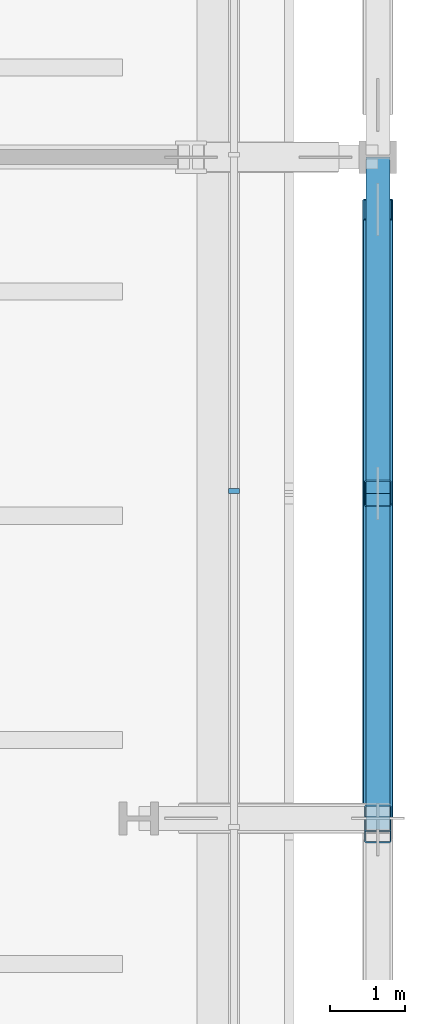
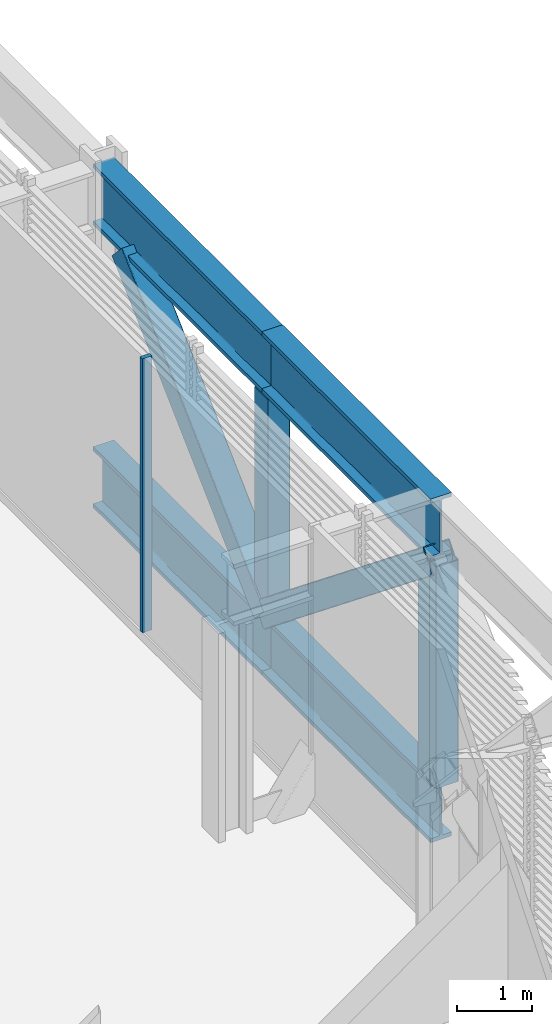
# One storey, part 10 of 29: 6 members, 4 beams, 1 element without a shape of its own.
"""IFC4 building model written with IfcOpenShell, lengths in metres."""

import ifcopenshell
import ifcopenshell.guid

model = None  # the IFC model being written
_history = None  # IfcOwnerHistory: only IFC2X3 demands one
_inside = {}  # id of a spatial element -> (the spatial element, [elements in it])
_under = {}  # id of a project, library or spatial element -> (it, [spatial elements below it])
_declared = {}  # id of a project -> (the project, [libraries it declares])
_typed = {}  # id of a type object -> (the type object, [elements of that type])
_made_of = {}  # id of a material, layer set ... -> (it, [elements and type objects made of it])


def new_model(schema):
    """Start an empty IFC model of exactly this schema.

    Asked for "IFC4X3", IfcOpenShell would pick the latest addendum, in which some entities
    have other attributes; the version numbers below select the first issue.
    IFC2X3 requires an IfcOwnerHistory on every rooted entity: one is made here for all.
    """
    global model, _history
    if schema == "IFC4X3":
        model = ifcopenshell.file(schema_version=(4, 3, 0, 0))
    else:
        model = ifcopenshell.file(schema=schema)
    _inside.clear()
    _under.clear()
    _declared.clear()
    _typed.clear()
    _made_of.clear()
    _history = None
    if model.schema == "IFC2X3":
        org = make("IfcOrganization", Name="unknown")
        user = make(
            "IfcPersonAndOrganization",
            ThePerson=make("IfcPerson", FamilyName="unknown"),
            TheOrganization=org,
        )
        app = make(
            "IfcApplication",
            ApplicationDeveloper=org,
            Version="unknown",
            ApplicationFullName="unknown",
            ApplicationIdentifier="unknown",
        )
        _history = make(
            "IfcOwnerHistory",
            OwningUser=user,
            OwningApplication=app,
            ChangeAction="ADDED",
            CreationDate=0,
        )
    return model


def make(cls, **values):
    """One entity of the class cls with the attributes given. An attribute that is None is left unset."""
    return model.create_entity(
        cls, **{name: value for name, value in values.items() if value is not None}
    )


def rooted(cls, **values):
    """An entity with a GlobalId (a new one), such as an element, a storey or a relation."""
    return make(cls, GlobalId=ifcopenshell.guid.new(), OwnerHistory=_history, **values)


def si_unit(unit_type, name, prefix=None):
    """IfcSIUnit, for example si_unit("LENGTHUNIT", "METRE", prefix="MILLI")."""
    return make("IfcSIUnit", UnitType=unit_type, Prefix=prefix, Name=name)


def assignment(units):
    """IfcUnitAssignment: the units of a project."""
    return None if units is None else make("IfcUnitAssignment", Units=units)


def point(xyz):
    """IfcCartesianPoint."""
    return None if xyz is None else make("IfcCartesianPoint", Coordinates=xyz)


def direction(xyz):
    """IfcDirection."""
    return None if xyz is None else make("IfcDirection", DirectionRatios=xyz)


def frame(location, z_axis=None, x_axis=None):
    """IfcAxis2Placement3D, a coordinate frame: its origin and axes. An axis left out is left unset."""
    return make(
        "IfcAxis2Placement3D",
        Location=point(location),
        Axis=direction(z_axis),
        RefDirection=direction(x_axis),
    )


def frame_2d(location, x_axis=None):
    """IfcAxis2Placement2D, a coordinate frame in the plane: its origin and x axis."""
    return make(
        "IfcAxis2Placement2D", Location=point(location), RefDirection=direction(x_axis)
    )


def origin():
    """The frame at (0, 0, 0) with its axes left unset."""
    return frame((0.0, 0.0, 0.0))


def origin_2d():
    """The frame at (0, 0) in the plane with its x axis left unset."""
    return frame_2d((0.0, 0.0))


def place(relative_to, where):
    """IfcLocalPlacement: puts the frame where relative to a parent placement (None: the world)."""
    return make(
        "IfcLocalPlacement", PlacementRelTo=relative_to, RelativePlacement=where
    )


def context(
    kind, dimensions, precision=None, world=None, true_north=None, identifier=None
):
    """IfcGeometricRepresentationContext, for example the 3D "Model" context."""
    return make(
        "IfcGeometricRepresentationContext",
        ContextIdentifier=identifier,
        ContextType=kind,
        CoordinateSpaceDimension=dimensions,
        Precision=precision,
        WorldCoordinateSystem=world,
        TrueNorth=true_north,
    )


def subcontext(parent, identifier, kind, view, scale=None):
    """IfcGeometricRepresentationSubContext, for example "Body" below "Model"."""
    return make(
        "IfcGeometricRepresentationSubContext",
        ContextIdentifier=identifier,
        ContextType=kind,
        ParentContext=parent,
        TargetScale=scale,
        TargetView=view,
    )


def project(units=None, contexts=None):
    """IfcProject with its units and contexts."""
    return rooted(
        "IfcProject",
        Name="project",
        RepresentationContexts=contexts,
        UnitsInContext=assignment(units),
    )


def spatial(cls, under=None, at=None, **own):
    """A site, building, storey or space (cls), placed at a placement, below another one or the project."""
    s = rooted(cls, ObjectPlacement=at, **own)
    if under is not None:
        _under.setdefault(under.id(), (under, []))[1].append(s)
    return s


def profile(cls, at=None, kind="AREA", **sizes):
    """A parametric profile (cls). Its sizes go by their IFC names, for example OverallWidth=200.0."""
    return make(cls, ProfileType=kind, Position=at, **sizes)


def rectangle(**sizes):
    """IfcRectangleProfileDef."""
    return profile("IfcRectangleProfileDef", **sizes)


def hollow_rectangle(**sizes):
    """IfcRectangleHollowProfileDef."""
    return profile("IfcRectangleHollowProfileDef", **sizes)


def i_section(**sizes):
    """IfcIShapeProfileDef."""
    return profile("IfcIShapeProfileDef", **sizes)


def extrude(swept, where, along, depth):
    """IfcExtrudedAreaSolid: the profile swept, set in the frame where, extruded along a direction by depth."""
    return make(
        "IfcExtrudedAreaSolid",
        SweptArea=swept,
        Position=where,
        ExtrudedDirection=direction(along),
        Depth=depth,
    )


def shape(context_of_items, identifier, shape_type, items):
    """IfcShapeRepresentation: the items that make up one representation, for example the "Body"."""
    return make(
        "IfcShapeRepresentation",
        ContextOfItems=context_of_items,
        RepresentationIdentifier=identifier,
        RepresentationType=shape_type,
        Items=items,
    )


def material(Name=None, Category=None):
    """IfcMaterial."""
    return make("IfcMaterial", Name=Name, Category=Category)


def layer(
    of_material, thickness, ventilated=None, Name=None, Category=None, Priority=None
):
    """IfcMaterialLayer: one layer of a wall or slab, of a material (None: an air gap)."""
    return make(
        "IfcMaterialLayer",
        Material=of_material,
        LayerThickness=thickness,
        IsVentilated=ventilated,
        Name=Name,
        Category=Category,
        Priority=Priority,
    )


def layer_set(layers, Name=None):
    """IfcMaterialLayerSet."""
    return make("IfcMaterialLayerSet", MaterialLayers=layers, LayerSetName=Name)


def material_profile(
    of_material, cross_section, Name=None, Category=None, Priority=None
):
    """IfcMaterialProfile: a cross section and its material."""
    return make(
        "IfcMaterialProfile",
        Name=Name,
        Material=of_material,
        Profile=cross_section,
        Priority=Priority,
        Category=Category,
    )


def profile_set(profiles, Name=None, composite=None):
    """IfcMaterialProfileSet."""
    return make(
        "IfcMaterialProfileSet",
        Name=Name,
        MaterialProfiles=profiles,
        CompositeProfile=composite,
    )


def made_of(thing, what):
    """Note that an element or type object is made of a material, layer set ...; save() writes the relation."""
    if what is not None:
        _made_of.setdefault(what.id(), (what, []))[1].append(thing)
    return thing


def type_object(cls, material=None, **own):
    """A type object (cls), such as IfcWallType, which elements share."""
    return made_of(rooted(cls, **own), material)


def element(
    cls,
    number,
    at=None,
    inside=None,
    cuts=None,
    type_object=None,
    material=None,
    context=None,
    identifier="Body",
    shape_type=None,
    held_by="IfcProductDefinitionShape",
    body=None,
    shapes=None,
    **own,
):
    """One element of the class cls, such as IfcWall. Its Tag is "e" and its number.

    at: its placement. inside: the storey or other place that contains it. cuts: it is an
    opening in that element (IfcRelVoidsElement). A single representation is given by context,
    identifier, shape_type and body (its items); several are given by shapes. held_by: the class
    of the entity that holds the representations. save() writes the other relations.
    """
    e = rooted(cls, Tag="e%d" % number, ObjectPlacement=at, **own)
    if body is not None:
        shapes = [shape(context, identifier, shape_type, body)]
    if shapes is not None:
        e.Representation = make(held_by, Representations=shapes)
    if inside is not None:
        _inside.setdefault(inside.id(), (inside, []))[1].append(e)
    if cuts is not None:
        rooted(
            "IfcRelVoidsElement", RelatingBuildingElement=cuts, RelatedOpeningElement=e
        )
    if type_object is not None:
        _typed.setdefault(type_object.id(), (type_object, []))[1].append(e)
    return made_of(e, material)


def aggregate(whole, parts):
    """IfcRelAggregates: a whole, such as a stair, and the parts it consists of."""
    return rooted("IfcRelAggregates", RelatingObject=whole, RelatedObjects=parts)


def save(model, path):
    """Write the relations noted so far, then the file.

    IfcRelAggregates (storeys below a building ...), IfcRelContainedInSpatialStructure (elements
    in a storey), IfcRelDefinesByType, IfcRelAssociatesMaterial and IfcRelDeclares: one each for
    every whole, place, type object, material and project.
    """
    for whole, parts in _under.values():
        aggregate(whole, parts)
    for where, things in _inside.values():
        rooted(
            "IfcRelContainedInSpatialStructure",
            RelatedElements=things,
            RelatingStructure=where,
        )
    for kind, things in _typed.values():
        rooted("IfcRelDefinesByType", RelatedObjects=things, RelatingType=kind)
    for what, things in _made_of.values():
        rooted("IfcRelAssociatesMaterial", RelatedObjects=things, RelatingMaterial=what)
    for by, libraries in _declared.values():
        rooted("IfcRelDeclares", RelatingContext=by, RelatedDefinitions=libraries)
    model.write(path)


model = new_model("IFC4")

# Units and contexts
model_context = context("Model", 3, precision=1e-05, world=origin(), true_north=direction((0.0, 1.0)))
body_context = subcontext(model_context, "Body", "Model", "MODEL_VIEW")
ifc_project = project(units=[si_unit("LENGTHUNIT", "METRE"), si_unit("AREAUNIT", "SQUARE_METRE"), si_unit("VOLUMEUNIT", "CUBIC_METRE"), si_unit("PLANEANGLEUNIT", "RADIAN"), si_unit("MASSUNIT", "GRAM", prefix="KILO")], contexts=[model_context])

# Site, building, storey
site_placement = place(None, origin())
site = spatial("IfcSite", under=ifc_project, at=site_placement, CompositionType="ELEMENT")
building_placement = place(site_placement, origin())
building = spatial("IfcBuilding", under=site, at=building_placement, Name="Millrace Tower", CompositionType="ELEMENT")
storey_placement = place(building_placement, frame((0.0, 0.0, 68.60009765625)))
storey = spatial("IfcBuildingStorey", under=building, at=storey_placement, Name="L15", CompositionType="ELEMENT", Elevation=68.60009765625)

# Curtain wall, member
ifc_material_1 = material(Name="Aluminium and glass", Category="aluminium")
ifc_layer = layer(ifc_material_1, 0.14990234375)
ifc_layer_set = layer_set([ifc_layer], Name="Aluminium and glass")
curtain_wall_type = type_object("IfcCurtainWallType", Name="CW-5 truss and plant storey louvred infill", PredefinedType="NOTDEFINED", material=ifc_layer_set)
curtain_wall_placement = place(storey_placement, origin())
curtain_wall = element("IfcCurtainWall", 1, at=curtain_wall_placement, inside=storey, type_object=curtain_wall_type, Name="Curtain wall B-F04 L15", PredefinedType="NOTDEFINED")
ifc_material_2 = material(Name="Aluminium", Category="aluminium")
ifc_material_profile_1 = material_profile(ifc_material_2, rectangle(XDim=0.06494140625, YDim=0.14990234375, at=origin_2d()))
ifc_profile_set_1 = profile_set([ifc_material_profile_1], Name="Aluminium")
member_type_1 = type_object("IfcMemberType", Name="CW-5 truss and plant storey louvred infill mullion", PredefinedType="MULLION", material=ifc_profile_set_1)
member_1_placement = place(storey_placement, frame((28.27490234375, -2.66748046875, 0.139892578125), z_axis=(0.0, 0.0, 1.0), x_axis=(0.0, 1.0, 0.0)))
member_1 = element("IfcMember", 2, at=member_1_placement, type_object=member_type_1, Name="CW5 mullion B-F04.6", PredefinedType="MULLION", context=body_context, shape_type="SweptSolid", body=[
    extrude(rectangle(XDim=0.06494140625, YDim=0.14990234375, at=origin_2d()), origin(), (0.0, 0.0, 1.0), 4.4599609375),
])
aggregate(curtain_wall, [member_1])

# Beams
ifc_material_3 = material(Name="Steel ASTM A992 Grade 50", Category="steel")
ifc_material_profile_2 = material_profile(ifc_material_3, i_section(OverallWidth=0.322509765625, OverallDepth=0.9931640625, WebThickness=0.0361328125, FlangeThickness=0.06494140625, FilletRadius=0.01904296875, at=origin_2d()))
ifc_profile_set_2 = profile_set([ifc_material_profile_2], Name="Steel ASTM A992 Grade 50")
beam_type = type_object("IfcBeamType", Name="Transfer truss chord W36x387", PredefinedType="BEAM", material=ifc_profile_set_2)
for number, where, z_axis, x_axis, name in (
    (3, (30.199951171875, -7.199951171875, -0.69677734375), (0.0, 1.0, 0.0), (-1.0, 0.0, 0.0), "TRS-L15-R07-B02"),
    (4, (30.199951171875, -7.199951171875, 3.9033203125), (0.0, 1.0, 0.0), (-1.0, 0.0, 0.0), "TRS-L15-R07-T02"),
    (5, (30.199951171875, -2.699951171875, -0.69677734375), (0.0, 1.0, 0.0), (-1.0, 0.0, 0.0), "TRS-L15-R07-B03"),
    (6, (30.199951171875, -2.699951171875, 3.9033203125), (0.0, 1.0, 0.0), (-1.0, 0.0, 0.0), "TRS-L15-R07-T03"),
):
    element("IfcBeam", number, at=place(storey_placement, frame(where, z_axis=z_axis, x_axis=x_axis)), inside=storey, type_object=beam_type, Name=name, PredefinedType="BEAM", context=body_context, shape_type="SweptSolid", body=[
        extrude(i_section(OverallWidth=0.322509765625, OverallDepth=0.9931640625, WebThickness=0.0361328125, FlangeThickness=0.06494140625, FilletRadius=0.01904296875, at=origin_2d()), origin(), (0.0, 0.0, 1.0), 4.5),
    ])

# Members
ifc_material_4 = material(Name="Steel ASTM A500 Grade C", Category="steel")
ifc_material_profile_3 = material_profile(ifc_material_4, hollow_rectangle(XDim=0.406494140625, YDim=0.406494140625, WallThickness=0.015869140625, InnerFilletRadius=0.008056640625, OuterFilletRadius=0.02392578125, at=origin_2d()))
ifc_profile_set_3 = profile_set([ifc_material_profile_3], Name="Steel ASTM A500 Grade C")
member_type_2 = type_object("IfcMemberType", Name="Transfer truss diagonal HSS16x16x5/8", PredefinedType="BRACE", material=ifc_profile_set_3)
member_2_placement = place(storey_placement, frame((30.199951171875, -2.699951171875, -0.2001953125), z_axis=(0.0, -0.780281998298, 0.625427856057), x_axis=(1.0, 0.0, 0.0)))
element("IfcMember", 7, at=member_2_placement, inside=storey, type_object=member_type_2, Name="TRS-L15-R07-D02", PredefinedType="BRACE", context=body_context, shape_type="SweptSolid", body=[
    extrude(hollow_rectangle(XDim=0.406494140625, YDim=0.406494140625, WallThickness=0.015869140625, InnerFilletRadius=0.008056640625, OuterFilletRadius=0.02392578125, at=origin_2d()), origin(), (0.0, 0.0, 1.0), 5.76708984375),
])
member_3_placement = place(storey_placement, frame((30.199951171875, -2.699951171875, -0.2001953125), z_axis=(0.0, 0.72529603748, 0.688437112607), x_axis=(-1.0, 0.0, 0.0)))
element("IfcMember", 8, at=member_3_placement, inside=storey, type_object=member_type_2, Name="TRS-L15-R07-D03", PredefinedType="BRACE", context=body_context, shape_type="SweptSolid", body=[
    extrude(hollow_rectangle(XDim=0.406494140625, YDim=0.406494140625, WallThickness=0.015869140625, InnerFilletRadius=0.008056640625, OuterFilletRadius=0.02392578125, at=origin_2d()), origin(), (0.0, 0.0, 1.0), 5.2392578125),
])
ifc_material_5 = material(Name="Steel ASTM A500 Grade C", Category="steel")
ifc_material_profile_4 = material_profile(ifc_material_5, hollow_rectangle(XDim=0.355712890625, YDim=0.355712890625, WallThickness=0.015869140625, InnerFilletRadius=0.008056640625, OuterFilletRadius=0.02392578125, at=origin_2d()))
ifc_profile_set_4 = profile_set([ifc_material_profile_4], Name="Steel ASTM A500 Grade C")
member_type_3 = type_object("IfcMemberType", Name="Transfer truss post HSS14x14x5/8", PredefinedType="POST", material=ifc_profile_set_4)
for number, where, z_axis, x_axis, name in (
    (9, (30.199951171875, -7.199951171875, -0.2001953125), (0.0, 0.0, 1.0), (1.0, 0.0, 0.0), "TRS-L15-R07-V01"),
    (10, (30.199951171875, -2.699951171875, -0.2001953125), (0.0, 0.0, 1.0), (1.0, 0.0, 0.0), "TRS-L15-R07-V02"),
    (11, (30.199951171875, -7.050048828125, -0.2001953125), (0.0, 0.0, 1.0), (1.0, 0.0, 0.0), "TRS-L15-B-A-X07-V01"),
):
    element("IfcMember", number, at=place(storey_placement, frame(where, z_axis=z_axis, x_axis=x_axis)), inside=storey, type_object=member_type_3, Name=name, PredefinedType="POST", context=body_context, shape_type="SweptSolid", body=[
        extrude(hollow_rectangle(XDim=0.355712890625, YDim=0.355712890625, WallThickness=0.015869140625, InnerFilletRadius=0.008056640625, OuterFilletRadius=0.02392578125, at=origin_2d()), origin(), (0.0, 0.0, 1.0), 3.60693359375),
    ])

save(model, "model.ifc")
